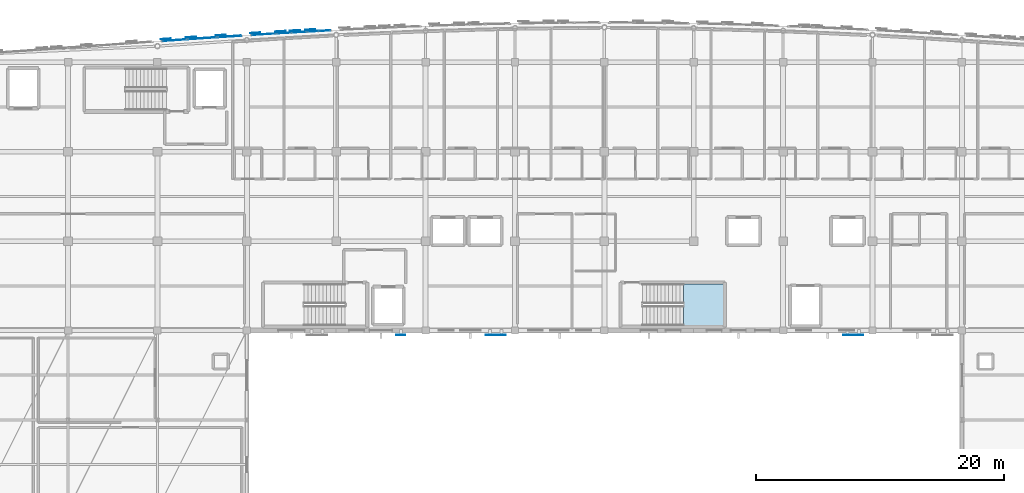
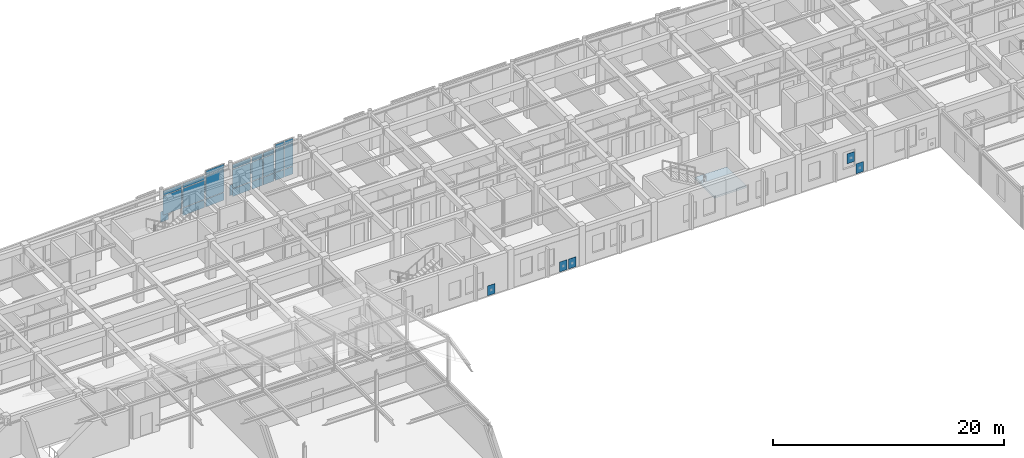
# One storey, part 72 of 113: 35 plates, 1 slab, 7 elements without a shape of their own.
"""IFC4 building model written with IfcOpenShell, lengths in metres."""

from ifc_helpers import new_model, si_unit, direction, frame, origin, origin_2d, place, context, subcontext, project, spatial, polyline, rectangle, outline, extrude, material, layer, layer_set, type_object, element, aggregate, save


model = new_model("IFC4")

# Units and contexts
model_context = context("Model", 3, precision=1e-05, world=origin(), true_north=direction((0.0, 1.0)))
body_context = subcontext(model_context, "Body", "Model", "MODEL_VIEW")
ifc_project = project(units=[si_unit("LENGTHUNIT", "METRE"), si_unit("AREAUNIT", "SQUARE_METRE"), si_unit("VOLUMEUNIT", "CUBIC_METRE"), si_unit("PLANEANGLEUNIT", "RADIAN"), si_unit("MASSUNIT", "GRAM", prefix="KILO")], contexts=[model_context])

# Site, building, storey
site_placement = place(None, origin())
site = spatial("IfcSite", under=ifc_project, at=site_placement, CompositionType="ELEMENT")
building_placement = place(site_placement, origin())
building = spatial("IfcBuilding", under=site, at=building_placement, Name="Carrowvane Square Congress Hotel", CompositionType="ELEMENT")
storey_placement = place(building_placement, frame((0.0, 0.0, 15.0)))
storey = spatial("IfcBuildingStorey", under=building, at=storey_placement, Name="L03", CompositionType="ELEMENT", Elevation=15.0)

# Curtain wall, plates
ifc_material_1 = material(Name="Anodised aluminium", Category="aluminium")
ifc_layer_1 = layer(ifc_material_1, 0.221923828125)
ifc_layer_set_1 = layer_set([ifc_layer_1], Name="Anodised aluminium")
curtain_wall_type_1 = type_object("IfcCurtainWallType", Name="CW-SYS-6", PredefinedType="NOTDEFINED", material=ifc_layer_set_1)
curtain_wall_1_placement = place(storey_placement, origin())
curtain_wall_1 = element("IfcCurtainWall", 1, at=curtain_wall_1_placement, inside=storey, type_object=curtain_wall_type_1, Name="L03 unitised curtain wall 205", PredefinedType="NOTDEFINED")
ifc_material_2 = material(Name="Double-glazed low-E glass", Category="glass")
ifc_layer_2 = layer(ifc_material_2, 0.028076171875)
ifc_layer_set_2 = layer_set([ifc_layer_2], Name="Double-glazed low-E glass")
plate_type_1 = type_object("IfcPlateType", Name="CW-PAN-1", PredefinedType="CURTAIN_PANEL", material=ifc_layer_set_2)
plate_1_placement = place(storey_placement, frame((70.580078125, 115.66064453125, 0.070068359375), z_axis=(0.0, 0.0, 1.0), x_axis=(0.998051378998, 0.062397474952, 0.0)))
plate_1 = element("IfcPlate", 2, at=plate_1_placement, type_object=plate_type_1, Name="CW-6 panel 1.1", PredefinedType="CURTAIN_PANEL", context=body_context, shape_type="SweptSolid", body=[
    extrude(rectangle(XDim=1.904052734375, YDim=0.028076171875, at=origin_2d()), origin(), (0.0, 0.0, 1.0), 0.794921875),
])
plate_2_placement = place(storey_placement, frame((70.580078125, 115.66064453125, 0.93505859375), z_axis=(0.0, 0.0, 1.0), x_axis=(0.998051378998, 0.062397474952, 0.0)))
plate_2 = element("IfcPlate", 3, at=plate_2_placement, type_object=plate_type_1, Name="CW-6 panel 1.2", PredefinedType="CURTAIN_PANEL", context=body_context, shape_type="SweptSolid", body=[
    extrude(rectangle(XDim=1.904052734375, YDim=0.028076171875, at=origin_2d()), origin(), (0.0, 0.0, 1.0), 1.99560546875),
])
plate_3_placement = place(storey_placement, frame((70.580078125, 115.66064453125, 3.00048828125), z_axis=(0.0, 0.0, 1.0), x_axis=(0.998051378998, 0.062397474952, 0.0)))
plate_3 = element("IfcPlate", 4, at=plate_3_placement, type_object=plate_type_1, Name="CW-6 panel 1.3", PredefinedType="CURTAIN_PANEL", context=body_context, shape_type="SweptSolid", body=[
    extrude(rectangle(XDim=1.904052734375, YDim=0.028076171875, at=origin_2d()), origin(), (0.0, 0.0, 1.0), 0.445068359375),
])
aggregate(curtain_wall_1, [plate_1, plate_2, plate_3])

ifc_material_3 = material(Name="Anodised aluminium", Category="aluminium")
ifc_layer_3 = layer(ifc_material_3, 0.23388671875)
ifc_layer_set_3 = layer_set([ifc_layer_3], Name="Anodised aluminium")
curtain_wall_type_2 = type_object("IfcCurtainWallType", Name="CW-SYS-7", PredefinedType="NOTDEFINED", material=ifc_layer_set_3)
curtain_wall_2_placement = place(storey_placement, origin())
curtain_wall_2 = element("IfcCurtainWall", 5, at=curtain_wall_2_placement, inside=storey, type_object=curtain_wall_type_2, Name="L03 unitised curtain wall 206", PredefinedType="NOTDEFINED")
ifc_material_4 = material(Name="Double-glazed low-E glass", Category="glass")
ifc_layer_4 = layer(ifc_material_4, 0.031982421875)
ifc_layer_set_4 = layer_set([ifc_layer_4], Name="Double-glazed low-E glass")
plate_type_2 = type_object("IfcPlateType", Name="CW-PAN-2", PredefinedType="CURTAIN_PANEL", material=ifc_layer_set_4)
plate_4_placement = place(storey_placement, frame((72.215087890625, 115.760498046875, 0.06005859375), z_axis=(0.0, 0.0, 1.0), x_axis=(0.998266763162, 0.058851249486, 0.0)))
plate_4 = element("IfcPlate", 6, at=plate_4_placement, type_object=plate_type_2, Name="CW-7 panel 1.1", PredefinedType="CURTAIN_PANEL", context=body_context, shape_type="SweptSolid", body=[
    extrude(rectangle(XDim=1.112060546875, YDim=0.031982421875, at=origin_2d()), origin(), (0.0, 0.0, 1.0), 0.81005859375),
])
plate_5_placement = place(storey_placement, frame((72.215087890625, 115.760498046875, 0.93017578125), z_axis=(0.0, 0.0, 1.0), x_axis=(0.998266763162, 0.058851249486, 0.0)))
plate_5 = element("IfcPlate", 7, at=plate_5_placement, type_object=plate_type_2, Name="CW-7 panel 1.2", PredefinedType="CURTAIN_PANEL", context=body_context, shape_type="SweptSolid", body=[
    extrude(rectangle(XDim=1.112060546875, YDim=0.031982421875, at=origin_2d()), origin(), (0.0, 0.0, 1.0), 2.005615234375),
])
plate_6_placement = place(storey_placement, frame((72.215087890625, 115.760498046875, 2.99560546875), z_axis=(0.0, 0.0, 1.0), x_axis=(0.998266763162, 0.058851249486, 0.0)))
plate_6 = element("IfcPlate", 8, at=plate_6_placement, type_object=plate_type_2, Name="CW-7 panel 1.3", PredefinedType="CURTAIN_PANEL", context=body_context, shape_type="SweptSolid", body=[
    extrude(rectangle(XDim=1.112060546875, YDim=0.031982421875, at=origin_2d()), origin(), (0.0, 0.0, 1.0), 0.4599609375),
])
plate_7_placement = place(storey_placement, frame((73.385009765625, 115.82958984375, 0.06005859375), z_axis=(0.0, 0.0, 1.0), x_axis=(0.998266763162, 0.058851249486, 0.0)))
plate_7 = element("IfcPlate", 9, at=plate_7_placement, type_object=plate_type_2, Name="CW-7 panel 2.1", PredefinedType="CURTAIN_PANEL", context=body_context, shape_type="SweptSolid", body=[
    extrude(rectangle(XDim=1.112060546875, YDim=0.031982421875, at=origin_2d()), origin(), (0.0, 0.0, 1.0), 0.81005859375),
])
plate_8_placement = place(storey_placement, frame((73.385009765625, 115.82958984375, 0.93017578125), z_axis=(0.0, 0.0, 1.0), x_axis=(0.998266763162, 0.058851249486, 0.0)))
plate_8 = element("IfcPlate", 10, at=plate_8_placement, type_object=plate_type_2, Name="CW-7 panel 2.2", PredefinedType="CURTAIN_PANEL", context=body_context, shape_type="SweptSolid", body=[
    extrude(rectangle(XDim=1.112060546875, YDim=0.031982421875, at=origin_2d()), origin(), (0.0, 0.0, 1.0), 2.005615234375),
])
plate_9_placement = place(storey_placement, frame((73.385009765625, 115.82958984375, 2.99560546875), z_axis=(0.0, 0.0, 1.0), x_axis=(0.998266763162, 0.058851249486, 0.0)))
plate_9 = element("IfcPlate", 11, at=plate_9_placement, type_object=plate_type_2, Name="CW-7 panel 2.3", PredefinedType="CURTAIN_PANEL", context=body_context, shape_type="SweptSolid", body=[
    extrude(rectangle(XDim=1.112060546875, YDim=0.031982421875, at=origin_2d()), origin(), (0.0, 0.0, 1.0), 0.4599609375),
])
aggregate(curtain_wall_2, [plate_4, plate_5, plate_6, plate_7, plate_8, plate_9])

ifc_material_5 = material(Name="Anodised aluminium", Category="aluminium")
ifc_layer_5 = layer(ifc_material_5, 0.18603515625)
ifc_layer_set_5 = layer_set([ifc_layer_5], Name="Anodised aluminium")
curtain_wall_type_3 = type_object("IfcCurtainWallType", Name="CW-SYS-3", PredefinedType="NOTDEFINED", material=ifc_layer_set_5)
curtain_wall_3_placement = place(storey_placement, origin())
curtain_wall_3 = element("IfcCurtainWall", 12, at=curtain_wall_3_placement, inside=storey, type_object=curtain_wall_type_3, Name="L03 unitised curtain wall 202", PredefinedType="NOTDEFINED")
ifc_material_6 = material(Name="Double-glazed low-E glass", Category="glass")
ifc_layer_6 = layer(ifc_material_6, 0.035888671875)
ifc_layer_set_6 = layer_set([ifc_layer_6], Name="Double-glazed low-E glass")
plate_type_3 = type_object("IfcPlateType", Name="CW-PAN-3", PredefinedType="CURTAIN_PANEL", material=ifc_layer_set_6)
plate_10_placement = place(storey_placement, frame((63.378662109375, 115.182373046875, 0.93017578125), z_axis=(0.0, 0.0, 1.0), x_axis=(0.997566332949, 0.069723822092, 0.0)))
plate_10 = element("IfcPlate", 13, at=plate_10_placement, type_object=plate_type_3, Name="CW-3 panel 1.2", PredefinedType="CURTAIN_PANEL", context=body_context, shape_type="SweptSolid", body=[
    extrude(rectangle(XDim=1.927734375, YDim=0.035888671875, at=origin_2d()), origin(), (0.0, 0.0, 1.0), 2.005615234375),
])
plate_11_placement = place(storey_placement, frame((63.378662109375, 115.182373046875, 2.99560546875), z_axis=(0.0, 0.0, 1.0), x_axis=(0.997566332949, 0.069723822092, 0.0)))
plate_11 = element("IfcPlate", 14, at=plate_11_placement, type_object=plate_type_3, Name="CW-3 panel 1.3", PredefinedType="CURTAIN_PANEL", context=body_context, shape_type="SweptSolid", body=[
    extrude(rectangle(XDim=1.927734375, YDim=0.035888671875, at=origin_2d()), origin(), (0.0, 0.0, 1.0), 0.4599609375),
])
aggregate(curtain_wall_3, [plate_10, plate_11])

ifc_material_7 = material(Name="Anodised aluminium", Category="aluminium")
ifc_layer_7 = layer(ifc_material_7, 0.24609375)
ifc_layer_set_7 = layer_set([ifc_layer_7], Name="Anodised aluminium")
curtain_wall_type_4 = type_object("IfcCurtainWallType", Name="CW-SYS-8", PredefinedType="NOTDEFINED", material=ifc_layer_set_7)
curtain_wall_4_placement = place(storey_placement, origin())
curtain_wall_4 = element("IfcCurtainWall", 15, at=curtain_wall_4_placement, inside=storey, type_object=curtain_wall_type_4, Name="L03 unitised curtain wall 207", PredefinedType="NOTDEFINED")
plate_12_placement = place(storey_placement, frame((74.516357421875, 115.894287109375, 0.070068359375), z_axis=(0.0, 0.0, 1.0), x_axis=(0.998496473856, 0.054815980317, 0.0)))
plate_12 = element("IfcPlate", 16, at=plate_12_placement, type_object=plate_type_3, Name="CW-8 panel 1.1", PredefinedType="CURTAIN_PANEL", context=body_context, shape_type="SweptSolid", body=[
    extrude(rectangle(XDim=0.894287109375, YDim=0.035888671875, at=origin_2d()), origin(), (0.0, 0.0, 1.0), 0.794921875),
])
plate_13_placement = place(storey_placement, frame((74.516357421875, 115.894287109375, 0.93505859375), z_axis=(0.0, 0.0, 1.0), x_axis=(0.998496473856, 0.054815980317, 0.0)))
plate_13 = element("IfcPlate", 17, at=plate_13_placement, type_object=plate_type_3, Name="CW-8 panel 1.2", PredefinedType="CURTAIN_PANEL", context=body_context, shape_type="SweptSolid", body=[
    extrude(rectangle(XDim=0.894287109375, YDim=0.035888671875, at=origin_2d()), origin(), (0.0, 0.0, 1.0), 2.419921875),
])
plate_14_placement = place(storey_placement, frame((74.516357421875, 115.894287109375, 3.4248046875), z_axis=(0.0, 0.0, 1.0), x_axis=(0.998496473856, 0.054815980317, 0.0)))
plate_14 = element("IfcPlate", 18, at=plate_14_placement, type_object=plate_type_3, Name="CW-8 panel 1.3", PredefinedType="CURTAIN_PANEL", context=body_context, shape_type="SweptSolid", body=[
    extrude(rectangle(XDim=0.894287109375, YDim=0.035888671875, at=origin_2d()), origin(), (0.0, 0.0, 1.0), 0.445068359375),
])
plate_15_placement = place(storey_placement, frame((75.479248046875, 115.947021484375, 0.070068359375), z_axis=(0.0, 0.0, 1.0), x_axis=(0.998496473856, 0.054815980317, 0.0)))
plate_15 = element("IfcPlate", 19, at=plate_15_placement, type_object=plate_type_3, Name="CW-8 panel 2.1", PredefinedType="CURTAIN_PANEL", context=body_context, shape_type="SweptSolid", body=[
    extrude(rectangle(XDim=0.894287109375, YDim=0.035888671875, at=origin_2d()), origin(), (0.0, 0.0, 1.0), 0.794921875),
])
plate_16_placement = place(storey_placement, frame((75.479248046875, 115.947021484375, 0.93505859375), z_axis=(0.0, 0.0, 1.0), x_axis=(0.998496473856, 0.054815980317, 0.0)))
plate_16 = element("IfcPlate", 20, at=plate_16_placement, type_object=plate_type_3, Name="CW-8 panel 2.2", PredefinedType="CURTAIN_PANEL", context=body_context, shape_type="SweptSolid", body=[
    extrude(rectangle(XDim=0.894287109375, YDim=0.035888671875, at=origin_2d()), origin(), (0.0, 0.0, 1.0), 2.419921875),
])
plate_17_placement = place(storey_placement, frame((75.479248046875, 115.947021484375, 3.4248046875), z_axis=(0.0, 0.0, 1.0), x_axis=(0.998496473856, 0.054815980317, 0.0)))
plate_17 = element("IfcPlate", 21, at=plate_17_placement, type_object=plate_type_3, Name="CW-8 panel 2.3", PredefinedType="CURTAIN_PANEL", context=body_context, shape_type="SweptSolid", body=[
    extrude(rectangle(XDim=0.894287109375, YDim=0.035888671875, at=origin_2d()), origin(), (0.0, 0.0, 1.0), 0.445068359375),
])
aggregate(curtain_wall_4, [plate_12, plate_13, plate_14, plate_15, plate_16, plate_17])

ifc_material_8 = material(Name="Anodised aluminium", Category="aluminium")
ifc_layer_8 = layer(ifc_material_8, 0.197998046875)
ifc_layer_set_8 = layer_set([ifc_layer_8], Name="Anodised aluminium")
curtain_wall_type_5 = type_object("IfcCurtainWallType", Name="CW-SYS-4", PredefinedType="NOTDEFINED", material=ifc_layer_set_8)
curtain_wall_5_placement = place(storey_placement, origin())
curtain_wall_5 = element("IfcCurtainWall", 22, at=curtain_wall_5_placement, inside=storey, type_object=curtain_wall_type_5, Name="L03 unitised curtain wall 203", PredefinedType="NOTDEFINED")
ifc_material_9 = material(Name="Double-glazed low-E glass", Category="glass")
ifc_layer_9 = layer(ifc_material_9, 0.0419921875)
ifc_layer_set_9 = layer_set([ifc_layer_9], Name="Double-glazed low-E glass")
plate_type_4 = type_object("IfcPlateType", Name="CW-PAN-4", PredefinedType="CURTAIN_PANEL", material=ifc_layer_set_9)
plate_18_placement = place(storey_placement, frame((65.599853515625, 115.33544921875, 0.070068359375), z_axis=(0.0, 0.0, 1.0), x_axis=(0.997694484404, 0.067865424104, 0.0)))
plate_18 = element("IfcPlate", 23, at=plate_18_placement, type_object=plate_type_4, Name="CW-4 panel 1.1", PredefinedType="CURTAIN_PANEL", context=body_context, shape_type="SweptSolid", body=[
    extrude(rectangle(XDim=2.265380859375, YDim=0.0419921875, at=origin_2d()), origin(), (0.0, 0.0, 1.0), 0.794921875),
])
plate_19_placement = place(storey_placement, frame((65.599853515625, 115.33544921875, 0.93505859375), z_axis=(0.0, 0.0, 1.0), x_axis=(0.997694484404, 0.067865424104, 0.0)))
plate_19 = element("IfcPlate", 24, at=plate_19_placement, type_object=plate_type_4, Name="CW-4 panel 1.2", PredefinedType="CURTAIN_PANEL", context=body_context, shape_type="SweptSolid", body=[
    extrude(rectangle(XDim=2.265380859375, YDim=0.0419921875, at=origin_2d()), origin(), (0.0, 0.0, 1.0), 1.99560546875),
])
plate_20_placement = place(storey_placement, frame((65.599853515625, 115.33544921875, 3.00048828125), z_axis=(0.0, 0.0, 1.0), x_axis=(0.997694484404, 0.067865424104, 0.0)))
plate_20 = element("IfcPlate", 25, at=plate_20_placement, type_object=plate_type_4, Name="CW-4 panel 1.3", PredefinedType="CURTAIN_PANEL", context=body_context, shape_type="SweptSolid", body=[
    extrude(rectangle(XDim=2.265380859375, YDim=0.0419921875, at=origin_2d()), origin(), (0.0, 0.0, 1.0), 0.445068359375),
])
aggregate(curtain_wall_5, [plate_18, plate_19, plate_20])

ifc_material_10 = material(Name="Anodised aluminium", Category="aluminium")
ifc_layer_10 = layer(ifc_material_10, 0.2099609375)
ifc_layer_set_10 = layer_set([ifc_layer_10], Name="Anodised aluminium")
curtain_wall_type_6 = type_object("IfcCurtainWallType", Name="CW-SYS-5", PredefinedType="NOTDEFINED", material=ifc_layer_set_10)
curtain_wall_6_placement = place(storey_placement, origin())
curtain_wall_6 = element("IfcCurtainWall", 26, at=curtain_wall_6_placement, inside=storey, type_object=curtain_wall_type_6, Name="L03 unitised curtain wall 204", PredefinedType="NOTDEFINED")
ifc_material_11 = material(Name="Double-glazed low-E glass", Category="glass")
ifc_layer_11 = layer(ifc_material_11, 0.048095703125)
ifc_layer_set_11 = layer_set([ifc_layer_11], Name="Double-glazed low-E glass")
plate_type_5 = type_object("IfcPlateType", Name="CW-PAN-5", PredefinedType="CURTAIN_PANEL", material=ifc_layer_set_11)
plate_21_placement = place(storey_placement, frame((67.795654296875, 115.482177734375, 0.06005859375), z_axis=(0.0, 0.0, 1.0), x_axis=(0.997858327155, 0.065412223074, 0.0)))
plate_21 = element("IfcPlate", 27, at=plate_21_placement, type_object=plate_type_5, Name="CW-5 panel 1.1", PredefinedType="CURTAIN_PANEL", context=body_context, shape_type="SweptSolid", body=[
    extrude(rectangle(XDim=1.875732421875, YDim=0.048095703125, at=origin_2d()), origin(), (0.0, 0.0, 1.0), 0.81005859375),
])
plate_22_placement = place(storey_placement, frame((67.795654296875, 115.482177734375, 0.93017578125), z_axis=(0.0, 0.0, 1.0), x_axis=(0.997858327155, 0.065412223074, 0.0)))
plate_22 = element("IfcPlate", 28, at=plate_22_placement, type_object=plate_type_5, Name="CW-5 panel 1.2", PredefinedType="CURTAIN_PANEL", context=body_context, shape_type="SweptSolid", body=[
    extrude(rectangle(XDim=1.875732421875, YDim=0.048095703125, at=origin_2d()), origin(), (0.0, 0.0, 1.0), 2.429931640625),
])
plate_23_placement = place(storey_placement, frame((67.795654296875, 115.482177734375, 3.419921875), z_axis=(0.0, 0.0, 1.0), x_axis=(0.997858327155, 0.065412223074, 0.0)))
plate_23 = element("IfcPlate", 29, at=plate_23_placement, type_object=plate_type_5, Name="CW-5 panel 1.3", PredefinedType="CURTAIN_PANEL", context=body_context, shape_type="SweptSolid", body=[
    extrude(rectangle(XDim=1.875732421875, YDim=0.048095703125, at=origin_2d()), origin(), (0.0, 0.0, 1.0), 0.4599609375),
])
aggregate(curtain_wall_6, [plate_21, plate_22, plate_23])

# Plates
ifc_material_12 = material(Name="Champagne-gold anodised aluminium", Category="aluminium")
ifc_layer_12 = layer(ifc_material_12, 0.011962890625)
ifc_layer_set_12 = layer_set([ifc_layer_12], Name="Champagne-gold anodised aluminium")
plate_type_6 = type_object("IfcPlateType", Name="PLT-PIX-GOLD12", PredefinedType="SHEET", material=ifc_layer_set_12)
for number, where, z_axis, x_axis, name in (
    (30, (64.712890625, 115.44140625, 1.58984375), (0.0, 0.0, 1.0), (0.9976944394, 0.067866085713, 0.0), "Champagne-gold pixel screen plate 221"),
    (31, (69.873779296875, 115.78271484375, 0.119873046875), (0.0, 0.0, 1.0), (0.998051413269, 0.062396926785, 0.0), "Champagne-gold pixel screen plate 223"),
    (32, (74.315185546875, 116.04931640625, 0.119873046875), (0.0, 0.0, 1.0), (0.998496552462, 0.054814548441, 0.0), "Champagne-gold pixel screen plate 226"),
):
    element("IfcPlate", number, at=place(storey_placement, frame(where, z_axis=z_axis, x_axis=x_axis)), inside=storey, type_object=plate_type_6, Name=name, PredefinedType="SHEET", context=body_context, shape_type="SweptSolid", body=[
        extrude(rectangle(XDim=0.827880859375, YDim=0.011962890625, at=origin_2d()), origin(), (0.0, 0.0, 1.0), 1.1201171875),
    ])
plate_24_placement = place(storey_placement, frame((81.60009765625, 91.43408203125, 0.15478515625), z_axis=(0.0, 0.0, 1.0), x_axis=(-1.0, 0.0, 0.0)))
element("IfcPlate", 33, at=plate_24_placement, inside=storey, type_object=plate_type_6, Name="Champagne-gold pixel screen plate S-286", PredefinedType="SHEET", context=body_context, shape_type="SweptSolid", body=[
    extrude(rectangle(XDim=0.738037109375, YDim=0.011962890625, at=origin_2d()), origin(), (0.0, 0.0, 1.0), 1.050048828125),
])
ifc_material_13 = material(Name="Champagne-gold anodised aluminium", Category="aluminium")
ifc_layer_13 = layer(ifc_material_13, 0.008056640625)
ifc_layer_set_13 = layer_set([ifc_layer_13], Name="Champagne-gold anodised aluminium")
plate_type_7 = type_object("IfcPlateType", Name="PLT-PIX-GOLD8", PredefinedType="SHEET", material=ifc_layer_set_13)
for number, where, z_axis, x_axis, name in (
    (34, (62.664794921875, 115.296875, 0.119873046875), (0.0, 0.0, 1.0), (0.997566258056, 0.069724893606, 0.0), "Champagne-gold pixel screen plate 220"),
    (35, (67.1083984375, 115.6015625, 1.58984375), (0.0, 0.0, 1.0), (0.99785825325, 0.065413350476, 0.0), "Champagne-gold pixel screen plate 222"),
    (36, (71.90966796875, 115.906982421875, 1.58984375), (0.0, 0.0, 1.0), (0.998266695506, 0.05885239709, 0.0), "Champagne-gold pixel screen plate 224"),
    (37, (73.07958984375, 115.975830078125, 1.58984375), (0.0, 0.0, 1.0), (0.998266695506, 0.05885239709, 0.0), "Champagne-gold pixel screen plate 225"),
):
    element("IfcPlate", number, at=place(storey_placement, frame(where, z_axis=z_axis, x_axis=x_axis)), inside=storey, type_object=plate_type_7, Name=name, PredefinedType="SHEET", context=body_context, shape_type="SweptSolid", body=[
        extrude(rectangle(XDim=0.827880859375, YDim=0.008056640625, at=origin_2d()), origin(), (0.0, 0.0, 1.0), 1.1201171875),
    ])
for number, where, z_axis, x_axis, name in (
    (38, (118.5, 91.43603515625, 0.15478515625), (0.0, 0.0, 1.0), (-1.0, 0.0, 0.0), "Champagne-gold pixel screen plate S-282"),
    (39, (117.60009765625, 91.43603515625, 1.52490234375), (0.0, 0.0, 1.0), (-1.0, 0.0, 0.0), "Champagne-gold pixel screen plate S-283"),
    (40, (89.699951171875, 91.43603515625, 0.15478515625), (0.0, 0.0, 1.0), (-1.0, 0.0, 0.0), "Champagne-gold pixel screen plate S-284"),
    (41, (88.800048828125, 91.43603515625, 0.15478515625), (0.0, 0.0, 1.0), (-1.0, 0.0, 0.0), "Champagne-gold pixel screen plate S-285"),
):
    element("IfcPlate", number, at=place(storey_placement, frame(where, z_axis=z_axis, x_axis=x_axis)), inside=storey, type_object=plate_type_7, Name=name, PredefinedType="SHEET", context=body_context, shape_type="SweptSolid", body=[
        extrude(rectangle(XDim=0.738037109375, YDim=0.008056640625, at=origin_2d()), origin(), (0.0, 0.0, 1.0), 1.050048828125),
    ])

# Stair, slab
ifc_material_14 = material(Name="Concrete C35/45", Category="concrete")
stair_type = type_object("IfcStairType", Name="STR-DOG-04", PredefinedType="HALF_TURN_STAIR", material=ifc_material_14)
stair_placement = place(storey_placement, origin())
stair = element("IfcStair", 42, at=stair_placement, inside=storey, type_object=stair_type, Name="L03 Core C3 East Hotel Escape Stair", PredefinedType="HALF_TURN_STAIR")
ifc_material_15 = material(Name="Concrete C35/45", Category="concrete")
ifc_layer_14 = layer(ifc_material_15, 0.199951171875)
ifc_layer_set_14 = layer_set([ifc_layer_14], Name="Concrete C35/45")
slab_type = type_object("IfcSlabType", Name="SLB-LND-200", PredefinedType="LANDING", material=ifc_layer_set_14)
slab_placement = place(storey_placement, frame((0.0, 0.0, 1.89990234375)))
slab = element("IfcSlab", 43, at=slab_placement, type_object=slab_type, Name="ST3 landing 1", PredefinedType="LANDING", context=body_context, shape_type="SweptSolid", body=[
    extrude(outline(polyline([(104.3798828125, 92.199951171875), (107.60009765625, 92.199951171875), (107.60009765625, 95.56005859375), (104.3798828125, 95.56005859375), (104.3798828125, 92.199951171875)])), origin(), (0.0, 0.0, 1.0), 0.2001953125),
])
aggregate(stair, [slab])

save(model, "model.ifc")
